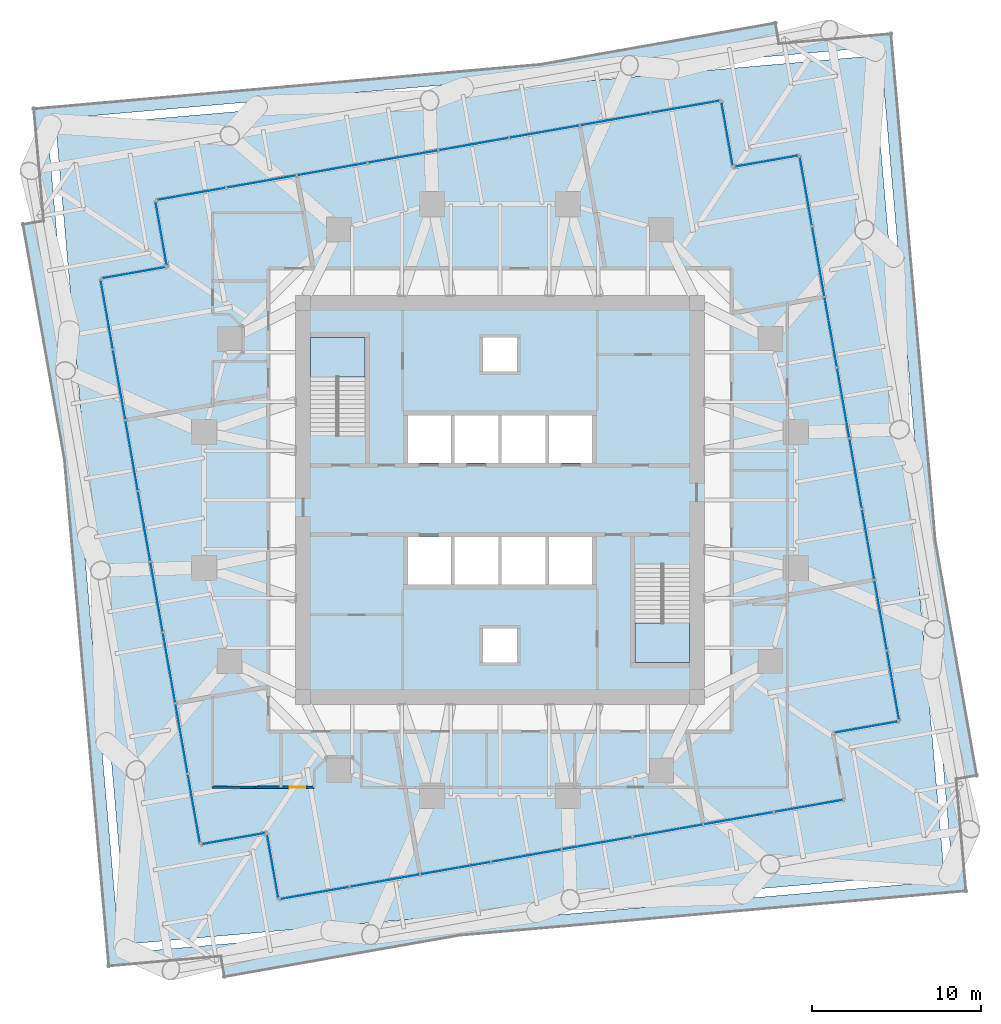
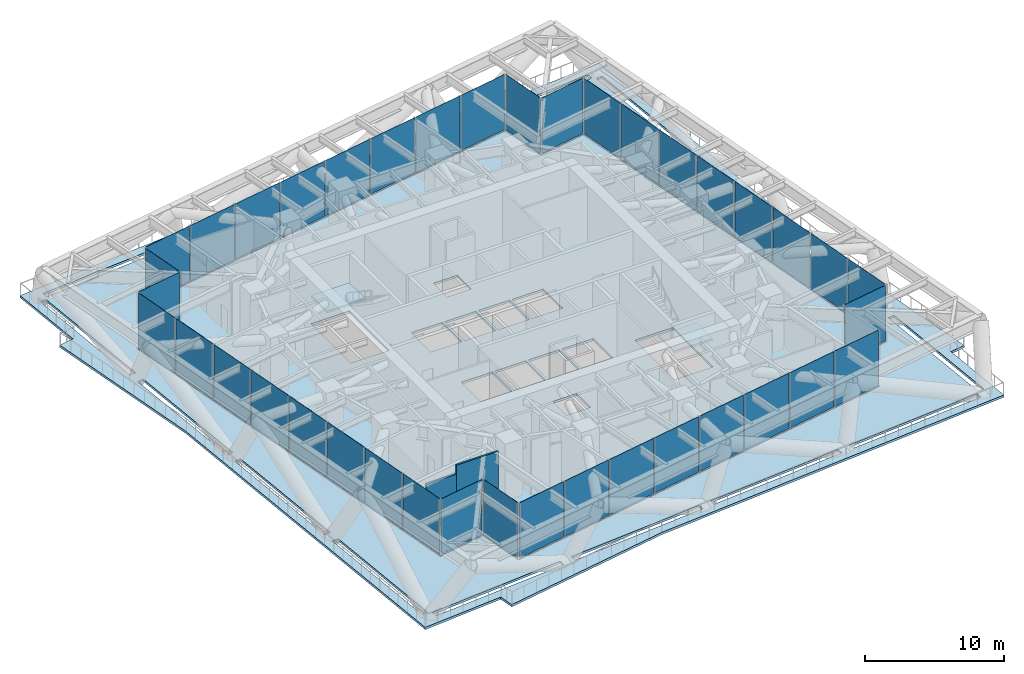
# One storey, part 8 of 15: 39 plates, 4 slabs, 2 walls, 1 door, 1 opening, 13 elements without a shape of their own.
"""IFC4 building model written with IfcOpenShell, lengths in metres."""

from ifc_helpers import new_model, si_unit, direction, frame, frame_2d, origin, origin_2d, place, context, subcontext, project, spatial, polyline, rectangle, outline, extrude, material, layer, layer_set, type_object, element, fill, aggregate, save


model = new_model("IFC4")

# Units and contexts
model_context = context("Model", 3, precision=1e-05, world=origin(), true_north=direction((0.0, 1.0)))
body_context = subcontext(model_context, "Body", "Model", "MODEL_VIEW")
ifc_project = project(units=[si_unit("LENGTHUNIT", "METRE"), si_unit("AREAUNIT", "SQUARE_METRE"), si_unit("VOLUMEUNIT", "CUBIC_METRE"), si_unit("PLANEANGLEUNIT", "RADIAN"), si_unit("MASSUNIT", "GRAM", prefix="KILO")], contexts=[model_context])

# Site, building, storey
site_placement = place(None, origin())
site = spatial("IfcSite", under=ifc_project, at=site_placement, CompositionType="ELEMENT")
building_placement = place(site_placement, origin())
building = spatial("IfcBuilding", under=site, at=building_placement, Name="Torsade Residences", CompositionType="ELEMENT")
storey_placement = place(building_placement, frame((0.0, 0.0, 74.39990234375)))
storey = spatial("IfcBuildingStorey", under=building, at=storey_placement, Name="L20", CompositionType="ELEMENT", Elevation=74.39990234375)

# Curtain wall, plates
ifc_material_1 = material(Name="Aluminium and glass", Category="aluminium")
curtain_wall_type = type_object("IfcCurtainWallType", Name="TRANSFER LEVEL CURTAIN WALL LOW ZONE", PredefinedType="NOTDEFINED", material=ifc_material_1)
curtain_wall_1_placement = place(storey_placement, origin())
curtain_wall_1 = element("IfcCurtainWall", 1, at=curtain_wall_1_placement, inside=storey, type_object=curtain_wall_type, Name="Curtain wall L20 face 1", PredefinedType="NOTDEFINED")
ifc_material_2 = material(Name="Laminated glass", Category="glass")
ifc_layer_1 = layer(ifc_material_2, 0.02392578125)
ifc_layer_set_1 = layer_set([ifc_layer_1], Name="Laminated glass")
plate_type = type_object("IfcPlateType", Name="CLEAR GLASS PANEL", PredefinedType="CURTAIN_PANEL", material=ifc_layer_set_1)
plate_1_placement = place(storey_placement, frame((29.022216796875, 6.740478515625, 0.1201171875), z_axis=(0.0, 0.0, 1.0), x_axis=(0.98480775357, 0.173648174504, 0.0)))
plate_1 = element("IfcPlate", 2, at=plate_1_placement, type_object=plate_type, Name="Panel 1", PredefinedType="CURTAIN_PANEL", context=body_context, shape_type="SweptSolid", body=[
    extrude(rectangle(XDim=4.10009765625, YDim=0.02392578125, at=origin_2d()), origin(), (0.0, 0.0, 1.0), 4.8798828125),
])
plate_2_placement = place(storey_placement, frame((33.18310546875, 7.47412109375, 0.1201171875), z_axis=(0.0, 0.0, 1.0), x_axis=(0.98480775357, 0.173648174504, 0.0)))
plate_2 = element("IfcPlate", 3, at=plate_2_placement, type_object=plate_type, Name="Panel 2", PredefinedType="CURTAIN_PANEL", context=body_context, shape_type="SweptSolid", body=[
    extrude(rectangle(XDim=4.14990234375, YDim=0.02392578125, at=origin_2d()), origin(), (0.0, 0.0, 1.0), 4.8798828125),
])
plate_3_placement = place(storey_placement, frame((37.368408203125, 8.2119140625, 0.1201171875), z_axis=(0.0, 0.0, 1.0), x_axis=(0.98480775357, 0.173648174504, 0.0)))
plate_3 = element("IfcPlate", 4, at=plate_3_placement, type_object=plate_type, Name="Panel 3", PredefinedType="CURTAIN_PANEL", context=body_context, shape_type="SweptSolid", body=[
    extrude(rectangle(XDim=4.14990234375, YDim=0.02392578125, at=origin_2d()), origin(), (0.0, 0.0, 1.0), 4.8798828125),
])
plate_4_placement = place(storey_placement, frame((41.553955078125, 8.949951171875, 0.1201171875), z_axis=(0.0, 0.0, 1.0), x_axis=(0.98480775357, 0.173648174504, 0.0)))
plate_4 = element("IfcPlate", 5, at=plate_4_placement, type_object=plate_type, Name="Panel 4", PredefinedType="CURTAIN_PANEL", context=body_context, shape_type="SweptSolid", body=[
    extrude(rectangle(XDim=4.14990234375, YDim=0.02392578125, at=origin_2d()), origin(), (0.0, 0.0, 1.0), 4.8798828125),
])
plate_5_placement = place(storey_placement, frame((45.7392578125, 9.68798828125, 0.1201171875), z_axis=(0.0, 0.0, 1.0), x_axis=(0.98480775357, 0.173648174504, 0.0)))
plate_5 = element("IfcPlate", 6, at=plate_5_placement, type_object=plate_type, Name="Panel 5", PredefinedType="CURTAIN_PANEL", context=body_context, shape_type="SweptSolid", body=[
    extrude(rectangle(XDim=4.14990234375, YDim=0.02392578125, at=origin_2d()), origin(), (0.0, 0.0, 1.0), 4.8798828125),
])
plate_6_placement = place(storey_placement, frame((49.9248046875, 10.426025390625, 0.1201171875), z_axis=(0.0, 0.0, 1.0), x_axis=(0.98480775357, 0.173648174504, 0.0)))
plate_6 = element("IfcPlate", 7, at=plate_6_placement, type_object=plate_type, Name="Panel 6", PredefinedType="CURTAIN_PANEL", context=body_context, shape_type="SweptSolid", body=[
    extrude(rectangle(XDim=4.14990234375, YDim=0.02392578125, at=origin_2d()), origin(), (0.0, 0.0, 1.0), 4.8798828125),
])
plate_7_placement = place(storey_placement, frame((54.110107421875, 11.1640625, 0.1201171875), z_axis=(0.0, 0.0, 1.0), x_axis=(0.98480775357, 0.173648174504, 0.0)))
plate_7 = element("IfcPlate", 8, at=plate_7_placement, type_object=plate_type, Name="Panel 7", PredefinedType="CURTAIN_PANEL", context=body_context, shape_type="SweptSolid", body=[
    extrude(rectangle(XDim=4.14990234375, YDim=0.02392578125, at=origin_2d()), origin(), (0.0, 0.0, 1.0), 4.8798828125),
])
plate_8_placement = place(storey_placement, frame((58.27099609375, 11.897705078125, 0.1201171875), z_axis=(0.0, 0.0, 1.0), x_axis=(0.98480775357, 0.173648174504, 0.0)))
plate_8 = element("IfcPlate", 9, at=plate_8_placement, type_object=plate_type, Name="Panel 8", PredefinedType="CURTAIN_PANEL", context=body_context, shape_type="SweptSolid", body=[
    extrude(rectangle(XDim=4.10009765625, YDim=0.02392578125, at=origin_2d()), origin(), (0.0, 0.0, 1.0), 4.8798828125),
])
aggregate(curtain_wall_1, [plate_1, plate_2, plate_3, plate_4, plate_5, plate_6, plate_7, plate_8])

# Curtain wall, plate
curtain_wall_2_placement = place(storey_placement, origin())
curtain_wall_2 = element("IfcCurtainWall", 10, at=curtain_wall_2_placement, inside=storey, type_object=curtain_wall_type, Name="Curtain wall L20 face 3", PredefinedType="NOTDEFINED")
plate_9_placement = place(storey_placement, frame((61.663330078125, 16.5576171875, 0.1201171875), z_axis=(0.0, 0.0, 1.0), x_axis=(0.984807740553, 0.173648248327, 0.0)))
plate_9 = element("IfcPlate", 11, at=plate_9_placement, type_object=plate_type, Name="Panel 1", PredefinedType="CURTAIN_PANEL", context=body_context, shape_type="SweptSolid", body=[
    extrude(rectangle(XDim=3.800048828125, YDim=0.02392578125, at=origin_2d()), origin(), (0.0, 0.0, 1.0), 4.8798828125),
])
aggregate(curtain_wall_2, [plate_9])

# Curtain wall, plates
curtain_wall_3_placement = place(storey_placement, origin())
curtain_wall_3 = element("IfcCurtainWall", 12, at=curtain_wall_3_placement, inside=storey, type_object=curtain_wall_type, Name="Curtain wall L20 face 4", PredefinedType="NOTDEFINED")
plate_10_placement = place(storey_placement, frame((63.259521484375, 19.022216796875, 0.1201171875), z_axis=(0.0, 0.0, 1.0), x_axis=(-0.173648174504, 0.98480775357, 0.0)))
plate_10 = element("IfcPlate", 13, at=plate_10_placement, type_object=plate_type, Name="Panel 1", PredefinedType="CURTAIN_PANEL", context=body_context, shape_type="SweptSolid", body=[
    extrude(rectangle(XDim=4.10009765625, YDim=0.02392578125, at=origin_2d()), origin(), (0.0, 0.0, 1.0), 4.8798828125),
])
plate_11_placement = place(storey_placement, frame((62.52587890625, 23.18310546875, 0.1201171875), z_axis=(0.0, 0.0, 1.0), x_axis=(-0.173648174504, 0.98480775357, 0.0)))
plate_11 = element("IfcPlate", 14, at=plate_11_placement, type_object=plate_type, Name="Panel 2", PredefinedType="CURTAIN_PANEL", context=body_context, shape_type="SweptSolid", body=[
    extrude(rectangle(XDim=4.14990234375, YDim=0.02392578125, at=origin_2d()), origin(), (0.0, 0.0, 1.0), 4.8798828125),
])
plate_12_placement = place(storey_placement, frame((61.7880859375, 27.368408203125, 0.1201171875), z_axis=(0.0, 0.0, 1.0), x_axis=(-0.173648174504, 0.98480775357, 0.0)))
plate_12 = element("IfcPlate", 15, at=plate_12_placement, type_object=plate_type, Name="Panel 3", PredefinedType="CURTAIN_PANEL", context=body_context, shape_type="SweptSolid", body=[
    extrude(rectangle(XDim=4.14990234375, YDim=0.02392578125, at=origin_2d()), origin(), (0.0, 0.0, 1.0), 4.8798828125),
])
plate_13_placement = place(storey_placement, frame((61.050048828125, 31.553955078125, 0.1201171875), z_axis=(0.0, 0.0, 1.0), x_axis=(-0.173648174504, 0.98480775357, 0.0)))
plate_13 = element("IfcPlate", 16, at=plate_13_placement, type_object=plate_type, Name="Panel 4", PredefinedType="CURTAIN_PANEL", context=body_context, shape_type="SweptSolid", body=[
    extrude(rectangle(XDim=4.14990234375, YDim=0.02392578125, at=origin_2d()), origin(), (0.0, 0.0, 1.0), 4.8798828125),
])
plate_14_placement = place(storey_placement, frame((60.31201171875, 35.7392578125, 0.1201171875), z_axis=(0.0, 0.0, 1.0), x_axis=(-0.173648174504, 0.98480775357, 0.0)))
plate_14 = element("IfcPlate", 17, at=plate_14_placement, type_object=plate_type, Name="Panel 5", PredefinedType="CURTAIN_PANEL", context=body_context, shape_type="SweptSolid", body=[
    extrude(rectangle(XDim=4.14990234375, YDim=0.02392578125, at=origin_2d()), origin(), (0.0, 0.0, 1.0), 4.8798828125),
])
plate_15_placement = place(storey_placement, frame((59.573974609375, 39.9248046875, 0.1201171875), z_axis=(0.0, 0.0, 1.0), x_axis=(-0.173648174504, 0.98480775357, 0.0)))
plate_15 = element("IfcPlate", 18, at=plate_15_placement, type_object=plate_type, Name="Panel 6", PredefinedType="CURTAIN_PANEL", context=body_context, shape_type="SweptSolid", body=[
    extrude(rectangle(XDim=4.14990234375, YDim=0.02392578125, at=origin_2d()), origin(), (0.0, 0.0, 1.0), 4.8798828125),
])
plate_16_placement = place(storey_placement, frame((58.8359375, 44.110107421875, 0.1201171875), z_axis=(0.0, 0.0, 1.0), x_axis=(-0.173648174504, 0.98480775357, 0.0)))
plate_16 = element("IfcPlate", 19, at=plate_16_placement, type_object=plate_type, Name="Panel 7", PredefinedType="CURTAIN_PANEL", context=body_context, shape_type="SweptSolid", body=[
    extrude(rectangle(XDim=4.14990234375, YDim=0.02392578125, at=origin_2d()), origin(), (0.0, 0.0, 1.0), 4.8798828125),
])
plate_17_placement = place(storey_placement, frame((58.102294921875, 48.27099609375, 0.1201171875), z_axis=(0.0, 0.0, 1.0), x_axis=(-0.173648174504, 0.98480775357, 0.0)))
plate_17 = element("IfcPlate", 20, at=plate_17_placement, type_object=plate_type, Name="Panel 8", PredefinedType="CURTAIN_PANEL", context=body_context, shape_type="SweptSolid", body=[
    extrude(rectangle(XDim=4.10009765625, YDim=0.02392578125, at=origin_2d()), origin(), (0.0, 0.0, 1.0), 4.8798828125),
])
aggregate(curtain_wall_3, [plate_10, plate_11, plate_12, plate_13, plate_14, plate_15, plate_16, plate_17])

# Curtain wall, plate
curtain_wall_4_placement = place(storey_placement, origin())
curtain_wall_4 = element("IfcCurtainWall", 21, at=curtain_wall_4_placement, inside=storey, type_object=curtain_wall_type, Name="Curtain wall L20 face 5", PredefinedType="NOTDEFINED")
plate_18_placement = place(storey_placement, frame((55.75927734375, 50.041015625, 0.1201171875), z_axis=(0.0, 0.0, 1.0), x_axis=(-0.984807740553, -0.173648248327, 0.0)))
plate_18 = element("IfcPlate", 22, at=plate_18_placement, type_object=plate_type, Name="Panel 1", PredefinedType="CURTAIN_PANEL", context=body_context, shape_type="SweptSolid", body=[
    extrude(rectangle(XDim=3.800048828125, YDim=0.02392578125, at=origin_2d()), origin(), (0.0, 0.0, 1.0), 4.8798828125),
])
aggregate(curtain_wall_4, [plate_18])

curtain_wall_5_placement = place(storey_placement, origin())
curtain_wall_5 = element("IfcCurtainWall", 23, at=curtain_wall_5_placement, inside=storey, type_object=curtain_wall_type, Name="Curtain wall L20 face 6", PredefinedType="NOTDEFINED")
plate_19_placement = place(storey_placement, frame((53.4423828125, 51.663330078125, 0.1201171875), z_axis=(0.0, 0.0, 1.0), x_axis=(-0.173648248327, 0.984807740553, 0.0)))
plate_19 = element("IfcPlate", 24, at=plate_19_placement, type_object=plate_type, Name="Panel 1", PredefinedType="CURTAIN_PANEL", context=body_context, shape_type="SweptSolid", body=[
    extrude(rectangle(XDim=3.800048828125, YDim=0.02392578125, at=origin_2d()), origin(), (0.0, 0.0, 1.0), 4.8798828125),
])
aggregate(curtain_wall_5, [plate_19])

# Curtain wall, plates
curtain_wall_6_placement = place(storey_placement, origin())
curtain_wall_6 = element("IfcCurtainWall", 25, at=curtain_wall_6_placement, inside=storey, type_object=curtain_wall_type, Name="Curtain wall L20 face 7", PredefinedType="NOTDEFINED")
plate_20_placement = place(storey_placement, frame((50.977783203125, 53.259521484375, 0.1201171875), z_axis=(0.0, 0.0, 1.0), x_axis=(-0.98480775357, -0.173648174504, 0.0)))
plate_20 = element("IfcPlate", 26, at=plate_20_placement, type_object=plate_type, Name="Panel 1", PredefinedType="CURTAIN_PANEL", context=body_context, shape_type="SweptSolid", body=[
    extrude(rectangle(XDim=4.10009765625, YDim=0.02392578125, at=origin_2d()), origin(), (0.0, 0.0, 1.0), 4.8798828125),
])
plate_21_placement = place(storey_placement, frame((46.81689453125, 52.52587890625, 0.1201171875), z_axis=(0.0, 0.0, 1.0), x_axis=(-0.98480775357, -0.173648174504, 0.0)))
plate_21 = element("IfcPlate", 27, at=plate_21_placement, type_object=plate_type, Name="Panel 2", PredefinedType="CURTAIN_PANEL", context=body_context, shape_type="SweptSolid", body=[
    extrude(rectangle(XDim=4.14990234375, YDim=0.02392578125, at=origin_2d()), origin(), (0.0, 0.0, 1.0), 4.8798828125),
])
plate_22_placement = place(storey_placement, frame((42.631591796875, 51.7880859375, 0.1201171875), z_axis=(0.0, 0.0, 1.0), x_axis=(-0.98480775357, -0.173648174504, 0.0)))
plate_22 = element("IfcPlate", 28, at=plate_22_placement, type_object=plate_type, Name="Panel 3", PredefinedType="CURTAIN_PANEL", context=body_context, shape_type="SweptSolid", body=[
    extrude(rectangle(XDim=4.14990234375, YDim=0.02392578125, at=origin_2d()), origin(), (0.0, 0.0, 1.0), 4.8798828125),
])
plate_23_placement = place(storey_placement, frame((38.446044921875, 51.050048828125, 0.1201171875), z_axis=(0.0, 0.0, 1.0), x_axis=(-0.98480775357, -0.173648174504, 0.0)))
plate_23 = element("IfcPlate", 29, at=plate_23_placement, type_object=plate_type, Name="Panel 4", PredefinedType="CURTAIN_PANEL", context=body_context, shape_type="SweptSolid", body=[
    extrude(rectangle(XDim=4.14990234375, YDim=0.02392578125, at=origin_2d()), origin(), (0.0, 0.0, 1.0), 4.8798828125),
])
plate_24_placement = place(storey_placement, frame((34.2607421875, 50.31201171875, 0.1201171875), z_axis=(0.0, 0.0, 1.0), x_axis=(-0.98480775357, -0.173648174504, 0.0)))
plate_24 = element("IfcPlate", 30, at=plate_24_placement, type_object=plate_type, Name="Panel 5", PredefinedType="CURTAIN_PANEL", context=body_context, shape_type="SweptSolid", body=[
    extrude(rectangle(XDim=4.14990234375, YDim=0.02392578125, at=origin_2d()), origin(), (0.0, 0.0, 1.0), 4.8798828125),
])
plate_25_placement = place(storey_placement, frame((30.0751953125, 49.573974609375, 0.1201171875), z_axis=(0.0, 0.0, 1.0), x_axis=(-0.98480775357, -0.173648174504, 0.0)))
plate_25 = element("IfcPlate", 31, at=plate_25_placement, type_object=plate_type, Name="Panel 6", PredefinedType="CURTAIN_PANEL", context=body_context, shape_type="SweptSolid", body=[
    extrude(rectangle(XDim=4.14990234375, YDim=0.02392578125, at=origin_2d()), origin(), (0.0, 0.0, 1.0), 4.8798828125),
])
plate_26_placement = place(storey_placement, frame((25.889892578125, 48.8359375, 0.1201171875), z_axis=(0.0, 0.0, 1.0), x_axis=(-0.98480775357, -0.173648174504, 0.0)))
plate_26 = element("IfcPlate", 32, at=plate_26_placement, type_object=plate_type, Name="Panel 7", PredefinedType="CURTAIN_PANEL", context=body_context, shape_type="SweptSolid", body=[
    extrude(rectangle(XDim=4.14990234375, YDim=0.02392578125, at=origin_2d()), origin(), (0.0, 0.0, 1.0), 4.8798828125),
])
plate_27_placement = place(storey_placement, frame((21.72900390625, 48.102294921875, 0.1201171875), z_axis=(0.0, 0.0, 1.0), x_axis=(-0.98480775357, -0.173648174504, 0.0)))
plate_27 = element("IfcPlate", 33, at=plate_27_placement, type_object=plate_type, Name="Panel 8", PredefinedType="CURTAIN_PANEL", context=body_context, shape_type="SweptSolid", body=[
    extrude(rectangle(XDim=4.10009765625, YDim=0.02392578125, at=origin_2d()), origin(), (0.0, 0.0, 1.0), 4.8798828125),
])
aggregate(curtain_wall_6, [plate_20, plate_21, plate_22, plate_23, plate_24, plate_25, plate_26, plate_27])

# Curtain wall, plate
curtain_wall_7_placement = place(storey_placement, origin())
curtain_wall_7 = element("IfcCurtainWall", 34, at=curtain_wall_7_placement, inside=storey, type_object=curtain_wall_type, Name="Curtain wall L20 face 8", PredefinedType="NOTDEFINED")
plate_28_placement = place(storey_placement, frame((19.958984375, 45.75927734375, 0.1201171875), z_axis=(0.0, 0.0, 1.0), x_axis=(0.173648248327, -0.984807740553, 0.0)))
plate_28 = element("IfcPlate", 35, at=plate_28_placement, type_object=plate_type, Name="Panel 1", PredefinedType="CURTAIN_PANEL", context=body_context, shape_type="SweptSolid", body=[
    extrude(rectangle(XDim=3.800048828125, YDim=0.02392578125, at=origin_2d()), origin(), (0.0, 0.0, 1.0), 4.8798828125),
])
aggregate(curtain_wall_7, [plate_28])

curtain_wall_8_placement = place(storey_placement, origin())
curtain_wall_8 = element("IfcCurtainWall", 36, at=curtain_wall_8_placement, inside=storey, type_object=curtain_wall_type, Name="Curtain wall L20 face 9", PredefinedType="NOTDEFINED")
plate_29_placement = place(storey_placement, frame((18.336669921875, 43.4423828125, 0.1201171875), z_axis=(0.0, 0.0, 1.0), x_axis=(-0.984807740553, -0.173648248327, 0.0)))
plate_29 = element("IfcPlate", 37, at=plate_29_placement, type_object=plate_type, Name="Panel 1", PredefinedType="CURTAIN_PANEL", context=body_context, shape_type="SweptSolid", body=[
    extrude(rectangle(XDim=3.800048828125, YDim=0.02392578125, at=origin_2d()), origin(), (0.0, 0.0, 1.0), 4.8798828125),
])
aggregate(curtain_wall_8, [plate_29])

# Curtain wall, plates
curtain_wall_9_placement = place(storey_placement, origin())
curtain_wall_9 = element("IfcCurtainWall", 38, at=curtain_wall_9_placement, inside=storey, type_object=curtain_wall_type, Name="Curtain wall L20 face 10", PredefinedType="NOTDEFINED")
plate_30_placement = place(storey_placement, frame((16.740478515625, 40.977783203125, 0.1201171875), z_axis=(0.0, 0.0, 1.0), x_axis=(0.173648174504, -0.98480775357, 0.0)))
plate_30 = element("IfcPlate", 39, at=plate_30_placement, type_object=plate_type, Name="Panel 1", PredefinedType="CURTAIN_PANEL", context=body_context, shape_type="SweptSolid", body=[
    extrude(rectangle(XDim=4.10009765625, YDim=0.02392578125, at=origin_2d()), origin(), (0.0, 0.0, 1.0), 4.8798828125),
])
plate_31_placement = place(storey_placement, frame((17.47412109375, 36.81689453125, 0.1201171875), z_axis=(0.0, 0.0, 1.0), x_axis=(0.173648174504, -0.98480775357, 0.0)))
plate_31 = element("IfcPlate", 40, at=plate_31_placement, type_object=plate_type, Name="Panel 2", PredefinedType="CURTAIN_PANEL", context=body_context, shape_type="SweptSolid", body=[
    extrude(rectangle(XDim=4.14990234375, YDim=0.02392578125, at=origin_2d()), origin(), (0.0, 0.0, 1.0), 4.8798828125),
])
plate_32_placement = place(storey_placement, frame((18.2119140625, 32.631591796875, 0.1201171875), z_axis=(0.0, 0.0, 1.0), x_axis=(0.173648174504, -0.98480775357, 0.0)))
plate_32 = element("IfcPlate", 41, at=plate_32_placement, type_object=plate_type, Name="Panel 3", PredefinedType="CURTAIN_PANEL", context=body_context, shape_type="SweptSolid", body=[
    extrude(rectangle(XDim=4.14990234375, YDim=0.02392578125, at=origin_2d()), origin(), (0.0, 0.0, 1.0), 4.8798828125),
])
plate_33_placement = place(storey_placement, frame((18.949951171875, 28.446044921875, 0.1201171875), z_axis=(0.0, 0.0, 1.0), x_axis=(0.173648174504, -0.98480775357, 0.0)))
plate_33 = element("IfcPlate", 42, at=plate_33_placement, type_object=plate_type, Name="Panel 4", PredefinedType="CURTAIN_PANEL", context=body_context, shape_type="SweptSolid", body=[
    extrude(rectangle(XDim=4.14990234375, YDim=0.02392578125, at=origin_2d()), origin(), (0.0, 0.0, 1.0), 4.8798828125),
])
plate_34_placement = place(storey_placement, frame((19.68798828125, 24.2607421875, 0.1201171875), z_axis=(0.0, 0.0, 1.0), x_axis=(0.173648174504, -0.98480775357, 0.0)))
plate_34 = element("IfcPlate", 43, at=plate_34_placement, type_object=plate_type, Name="Panel 5", PredefinedType="CURTAIN_PANEL", context=body_context, shape_type="SweptSolid", body=[
    extrude(rectangle(XDim=4.14990234375, YDim=0.02392578125, at=origin_2d()), origin(), (0.0, 0.0, 1.0), 4.8798828125),
])
plate_35_placement = place(storey_placement, frame((20.426025390625, 20.0751953125, 0.1201171875), z_axis=(0.0, 0.0, 1.0), x_axis=(0.173648174504, -0.98480775357, 0.0)))
plate_35 = element("IfcPlate", 44, at=plate_35_placement, type_object=plate_type, Name="Panel 6", PredefinedType="CURTAIN_PANEL", context=body_context, shape_type="SweptSolid", body=[
    extrude(rectangle(XDim=4.14990234375, YDim=0.02392578125, at=origin_2d()), origin(), (0.0, 0.0, 1.0), 4.8798828125),
])
plate_36_placement = place(storey_placement, frame((21.1640625, 15.889892578125, 0.1201171875), z_axis=(0.0, 0.0, 1.0), x_axis=(0.173648174504, -0.98480775357, 0.0)))
plate_36 = element("IfcPlate", 45, at=plate_36_placement, type_object=plate_type, Name="Panel 7", PredefinedType="CURTAIN_PANEL", context=body_context, shape_type="SweptSolid", body=[
    extrude(rectangle(XDim=4.14990234375, YDim=0.02392578125, at=origin_2d()), origin(), (0.0, 0.0, 1.0), 4.8798828125),
])
plate_37_placement = place(storey_placement, frame((21.897705078125, 11.72900390625, 0.1201171875), z_axis=(0.0, 0.0, 1.0), x_axis=(0.173648174504, -0.98480775357, 0.0)))
plate_37 = element("IfcPlate", 46, at=plate_37_placement, type_object=plate_type, Name="Panel 8", PredefinedType="CURTAIN_PANEL", context=body_context, shape_type="SweptSolid", body=[
    extrude(rectangle(XDim=4.10009765625, YDim=0.02392578125, at=origin_2d()), origin(), (0.0, 0.0, 1.0), 4.8798828125),
])
aggregate(curtain_wall_9, [plate_30, plate_31, plate_32, plate_33, plate_34, plate_35, plate_36, plate_37])

# Curtain wall, plate
curtain_wall_10_placement = place(storey_placement, origin())
curtain_wall_10 = element("IfcCurtainWall", 47, at=curtain_wall_10_placement, inside=storey, type_object=curtain_wall_type, Name="Curtain wall L20 face 11", PredefinedType="NOTDEFINED")
plate_38_placement = place(storey_placement, frame((24.24072265625, 9.958984375, 0.1201171875), z_axis=(0.0, 0.0, 1.0), x_axis=(0.984807740553, 0.173648248327, 0.0)))
plate_38 = element("IfcPlate", 48, at=plate_38_placement, type_object=plate_type, Name="Panel 1", PredefinedType="CURTAIN_PANEL", context=body_context, shape_type="SweptSolid", body=[
    extrude(rectangle(XDim=3.800048828125, YDim=0.02392578125, at=origin_2d()), origin(), (0.0, 0.0, 1.0), 4.8798828125),
])
aggregate(curtain_wall_10, [plate_38])

curtain_wall_11_placement = place(storey_placement, origin())
curtain_wall_11 = element("IfcCurtainWall", 49, at=curtain_wall_11_placement, inside=storey, type_object=curtain_wall_type, Name="Curtain wall L20 face 12", PredefinedType="NOTDEFINED")
plate_39_placement = place(storey_placement, frame((26.5576171875, 8.336669921875, 0.1201171875), z_axis=(0.0, 0.0, 1.0), x_axis=(0.173648248327, -0.984807740553, 0.0)))
plate_39 = element("IfcPlate", 50, at=plate_39_placement, type_object=plate_type, Name="Panel 1", PredefinedType="CURTAIN_PANEL", context=body_context, shape_type="SweptSolid", body=[
    extrude(rectangle(XDim=3.800048828125, YDim=0.02392578125, at=origin_2d()), origin(), (0.0, 0.0, 1.0), 4.8798828125),
])
aggregate(curtain_wall_11, [plate_39])

# Stair, slab
ifc_material_3 = material(Name="Precast concrete 40 MPa", Category="concrete")
stair_type = type_object("IfcStairType", Name="HALF-TURN FIRE STAIR 1500x5000", PredefinedType="HALF_TURN_STAIR", material=ifc_material_3)
stair_1_placement = place(storey_placement, origin())
stair_1 = element("IfcStair", 51, at=stair_1_placement, inside=storey, type_object=stair_type, Name="Stair ST1 L20", PredefinedType="HALF_TURN_STAIR")
ifc_material_4 = material(Name="Precast concrete 40 MPa", Category="concrete")
ifc_layer_2 = layer(ifc_material_4, 0.179931640625)
ifc_layer_set_2 = layer_set([ifc_layer_2], Name="Precast concrete 40 MPa")
slab_type_1 = type_object("IfcSlabType", Name="PRECAST STAIR LANDING 180", PredefinedType="LANDING", material=ifc_layer_set_2)
slab_1_placement = place(storey_placement, frame((0.0, 0.0, 2.320068359375)))
slab_1 = element("IfcSlab", 52, at=slab_1_placement, type_object=slab_type_1, Name="ST1 landing 1", PredefinedType="LANDING", context=body_context, shape_type="SweptSolid", body=[
    extrude(outline(polyline([(28.800048828125, 37.2900390625), (32.0, 37.2900390625), (32.0, 39.60009765625), (28.800048828125, 39.60009765625), (28.800048828125, 37.2900390625)])), origin(), (0.0, 0.0, 1.0), 0.179931640625),
])
aggregate(stair_1, [slab_1])

stair_2_placement = place(storey_placement, origin())
stair_2 = element("IfcStair", 53, at=stair_2_placement, inside=storey, type_object=stair_type, Name="Stair ST2 L20", PredefinedType="HALF_TURN_STAIR")
slab_2_placement = place(storey_placement, frame((0.0, 0.0, 2.320068359375)))
slab_2 = element("IfcSlab", 54, at=slab_2_placement, type_object=slab_type_1, Name="ST2 landing 1", PredefinedType="LANDING", context=body_context, shape_type="SweptSolid", body=[
    extrude(outline(polyline([(48.0, 20.39990234375), (51.199951171875, 20.39990234375), (51.199951171875, 22.7099609375), (48.0, 22.7099609375), (48.0, 20.39990234375)])), origin(), (0.0, 0.0, 1.0), 0.179931640625),
])
aggregate(stair_2, [slab_2])

# Slabs
ifc_material_5 = material(Name="Concrete 40 MPa", Category="concrete")
ifc_layer_3 = layer(ifc_material_5, 0.199951171875)
ifc_layer_set_3 = layer_set([ifc_layer_3], Name="Concrete 40 MPa")
slab_type_2 = type_object("IfcSlabType", Name="TRANSFER FLOOR SLAB 200", PredefinedType="FLOOR", material=ifc_layer_set_3)
slab_3_placement = place(storey_placement, frame((0.0, 0.0, -0.199951171875)))
element("IfcSlab", 55, at=slab_3_placement, inside=storey, type_object=slab_type_2, Name="Floor slab L20", PredefinedType="FLOOR", context=body_context, shape_type="SweptSolid", body=[
    extrude(outline(polyline([(26.90478515625, 6.366943359375), (60.388427734375, 12.27099609375), (59.69384765625, 16.210205078125), (63.633056640625, 16.90478515625), (57.72900390625, 50.388427734375), (53.789794921875, 49.69384765625), (53.09521484375, 53.633056640625), (19.611572265625, 47.72900390625), (20.30615234375, 43.789794921875), (16.366943359375, 43.09521484375), (22.27099609375, 9.611572265625), (26.210205078125, 10.30615234375), (26.90478515625, 6.366943359375)]), holes=[polyline([(51.199951171875, 20.39990234375), (51.199951171875, 26.1201171875), (48.0, 26.1201171875), (48.0, 20.39990234375), (51.199951171875, 20.39990234375)]), polyline([(45.5, 27.800048828125), (42.89990234375, 27.800048828125), (42.89990234375, 25.0), (45.5, 25.0), (45.5, 27.800048828125)]), polyline([(45.5, 32.199951171875), (45.5, 35.0), (42.89990234375, 35.0), (42.89990234375, 32.199951171875), (45.5, 32.199951171875)]), polyline([(42.699951171875, 25.0), (42.699951171875, 27.800048828125), (40.10009765625, 27.800048828125), (40.10009765625, 25.0), (42.699951171875, 25.0)]), polyline([(42.699951171875, 32.199951171875), (42.699951171875, 35.0), (40.10009765625, 35.0), (40.10009765625, 32.199951171875), (42.699951171875, 32.199951171875)]), polyline([(41.0, 22.39990234375), (39.0, 22.39990234375), (39.0, 20.39990234375), (41.0, 20.39990234375), (41.0, 22.39990234375)]), polyline([(41.0, 37.60009765625), (41.0, 39.60009765625), (39.0, 39.60009765625), (39.0, 37.60009765625), (41.0, 37.60009765625)]), polyline([(39.89990234375, 25.0), (39.89990234375, 27.800048828125), (37.300048828125, 27.800048828125), (37.300048828125, 25.0), (39.89990234375, 25.0)]), polyline([(39.89990234375, 35.0), (37.300048828125, 35.0), (37.300048828125, 32.199951171875), (39.89990234375, 32.199951171875), (39.89990234375, 35.0)]), polyline([(37.10009765625, 27.800048828125), (34.5, 27.800048828125), (34.5, 25.0), (37.10009765625, 25.0), (37.10009765625, 27.800048828125)]), polyline([(37.10009765625, 32.199951171875), (37.10009765625, 35.0), (34.5, 35.0), (34.5, 32.199951171875), (37.10009765625, 32.199951171875)]), polyline([(32.0, 33.8798828125), (32.0, 39.60009765625), (28.800048828125, 39.60009765625), (28.800048828125, 33.8798828125), (32.0, 33.8798828125)])]), origin(), (0.0, 0.0, 1.0), 0.199951171875),
])
ifc_material_6 = material(Name="Concrete 40 MPa", Category="concrete")
ifc_layer_4 = layer(ifc_material_6, 0.199951171875)
ifc_layer_set_4 = layer_set([ifc_layer_4], Name="Concrete 40 MPa")
slab_type_3 = type_object("IfcSlabType", Name="TRANSFER LEDGE SLAB 200", PredefinedType="ROOF", material=ifc_layer_set_4)
slab_4_placement = place(storey_placement, frame((0.0, 0.0, -0.199951171875)))
element("IfcSlab", 56, at=slab_4_placement, inside=storey, type_object=slab_type_3, Name="Transfer ledge slab L20 south-west", PredefinedType="ROOF", context=body_context, shape_type="SweptSolid", body=[
    extrude(outline(polyline([(14.194091796875, 32.383544921875), (16.819580078125, 2.37451171875), (23.44482421875, 2.9541015625), (23.66015625, 1.733154296875), (37.616455078125, 4.194091796875), (67.62548828125, 6.819580078125), (67.0458984375, 13.44482421875), (68.266845703125, 13.66015625), (65.805908203125, 27.616455078125), (63.180419921875, 57.62548828125), (56.55517578125, 57.0458984375), (56.33984375, 58.266845703125), (42.383544921875, 55.805908203125), (12.37451171875, 53.180419921875), (12.9541015625, 46.55517578125), (11.733154296875, 46.33984375), (14.194091796875, 32.383544921875)]), holes=[polyline([(66.24951171875, 8.204833984375), (66.74755859375, 8.24853515625), (65.76708984375, 19.45556640625), (65.26904296875, 19.412109375), (66.24951171875, 8.204833984375)]), polyline([(54.81494140625, 6.95361328125), (54.858642578125, 6.455322265625), (66.065673828125, 7.43603515625), (66.022216796875, 7.93408203125), (54.81494140625, 6.95361328125)]), polyline([(65.181884765625, 20.408203125), (65.679931640625, 20.451904296875), (64.699462890625, 31.658935546875), (64.201416015625, 31.615478515625), (65.181884765625, 20.408203125)]), polyline([(64.1142578125, 32.611572265625), (64.6123046875, 32.6552734375), (63.6318359375, 43.8623046875), (63.133544921875, 43.81884765625), (64.1142578125, 32.611572265625)]), polyline([(59.69384765625, 16.210205078125), (63.633056640625, 16.90478515625), (57.72900390625, 50.388427734375), (53.789794921875, 49.69384765625), (53.09521484375, 53.633056640625), (19.611572265625, 47.72900390625), (20.30615234375, 43.789794921875), (16.366943359375, 43.09521484375), (22.27099609375, 9.611572265625), (26.210205078125, 10.30615234375), (26.90478515625, 6.366943359375), (60.388427734375, 12.27099609375), (59.69384765625, 16.210205078125)]), polyline([(63.04638671875, 44.81494140625), (63.544677734375, 44.858642578125), (62.56396484375, 56.065673828125), (62.06591796875, 56.022216796875), (63.04638671875, 44.81494140625)]), polyline([(61.795166015625, 56.24951171875), (61.75146484375, 56.74755859375), (50.54443359375, 55.76708984375), (50.587890625, 55.26904296875), (61.795166015625, 56.24951171875)]), polyline([(42.611572265625, 5.8857421875), (42.6552734375, 5.3876953125), (53.8623046875, 6.3681640625), (53.81884765625, 6.866455078125), (42.611572265625, 5.8857421875)]), polyline([(49.591796875, 55.181884765625), (49.548095703125, 55.679931640625), (38.341064453125, 54.699462890625), (38.384521484375, 54.201416015625), (49.591796875, 55.181884765625)]), polyline([(30.408203125, 4.818115234375), (30.451904296875, 4.320068359375), (41.658935546875, 5.300537109375), (41.615478515625, 5.798583984375), (30.408203125, 4.818115234375)]), polyline([(37.388427734375, 54.1142578125), (37.3447265625, 54.6123046875), (26.1376953125, 53.6318359375), (26.18115234375, 53.133544921875), (37.388427734375, 54.1142578125)]), polyline([(18.204833984375, 3.75048828125), (18.24853515625, 3.25244140625), (29.45556640625, 4.23291015625), (29.412109375, 4.73095703125), (18.204833984375, 3.75048828125)]), polyline([(25.18505859375, 53.04638671875), (25.141357421875, 53.544677734375), (13.934326171875, 52.56396484375), (13.977783203125, 52.06591796875), (25.18505859375, 53.04638671875)]), polyline([(16.95361328125, 15.18505859375), (16.455322265625, 15.141357421875), (17.43603515625, 3.934326171875), (17.93408203125, 3.977783203125), (16.95361328125, 15.18505859375)]), polyline([(15.8857421875, 27.388427734375), (15.3876953125, 27.3447265625), (16.3681640625, 16.1376953125), (16.866455078125, 16.18115234375), (15.8857421875, 27.388427734375)]), polyline([(14.818115234375, 39.591796875), (14.320068359375, 39.548095703125), (15.300537109375, 28.341064453125), (15.798583984375, 28.384521484375), (14.818115234375, 39.591796875)]), polyline([(13.75048828125, 51.795166015625), (13.25244140625, 51.75146484375), (14.23291015625, 40.54443359375), (14.73095703125, 40.587890625), (13.75048828125, 51.795166015625)])]), origin(), (0.0, 0.0, 1.0), 0.199951171875),
])

# Wall, opening, door
ifc_material_7 = material(Name="Reinforced blockwork", Category="masonry")
ifc_layer_5 = layer(ifc_material_7, 0.14990234375)
ifc_layer_set_5 = layer_set([ifc_layer_5], Name="Reinforced blockwork")
wall_type = type_object("IfcWallType", Name="SERVICE ROOM WALL 150", PredefinedType="SOLIDWALL", material=ifc_layer_set_5)
wall_1_placement = place(storey_placement, frame((29.0, 13.0, 0.0), z_axis=(0.0, 0.0, 1.0), x_axis=(-1.0, 0.0, 0.0)))
wall_1 = element("IfcWall", 57, at=wall_1_placement, inside=storey, type_object=wall_type, Name="Service room wall L20", PredefinedType="SOLIDWALL", context=body_context, shape_type="SweptSolid", body=[
    extrude(rectangle(XDim=3.499755859375, YDim=0.14990234375, at=frame_2d((1.75, 0.0))), origin(), (0.0, 0.0, 1.0), 4.85009765625),
])
opening_placement = place(wall_1_placement, frame((0.5185546875, 0.0, 0.0)))
opening = element("IfcOpeningElement", 58, at=opening_placement, cuts=wall_1, Name="Opening D06", PredefinedType="OPENING", context=body_context, shape_type="SweptSolid", body=[
    extrude(rectangle(XDim=0.919921875, YDim=2.10009765625, at=frame_2d((0.4599609375, 1.050048828125))), frame((0.0, 0.0849609375, 0.0), z_axis=(0.0, -1.0, 0.0), x_axis=(1.0, 0.0, 0.0)), (0.0, 0.0, 1.0), 0.169921875),
])
ifc_material_8 = material(Name="Steel-framed fire door", Category="steel")
door_type = type_object("IfcDoorType", Name="FIRE DOOR 920", OperationType="NOTDEFINED", PredefinedType="DOOR", material=ifc_material_8)
door_placement = place(opening_placement, origin())
door = element("IfcDoor", 59, at=door_placement, inside=storey, type_object=door_type, Name="Door Service lobby to Mechanical plant room", OperationType="SINGLE_SWING_LEFT", OverallHeight=2.10009765625, OverallWidth=0.919921875, PredefinedType="DOOR", context=body_context, shape_type="SweptSolid", body=[
    extrude(rectangle(XDim=0.919921875, YDim=2.10009765625, at=frame_2d((0.4599609375, 1.050048828125))), frame((0.0, 0.02490234375, 0.0), z_axis=(0.0, -1.0, 0.0), x_axis=(1.0, 0.0, 0.0)), (0.0, 0.0, 1.0), 0.050048828125),
])
fill(opening, door)

# Wall
wall_2_placement = place(storey_placement, frame((25.500244140625, 13.0, 0.0), z_axis=(0.0, 0.0, 1.0), x_axis=(-1.0, 0.0, 0.0)))
element("IfcWall", 60, at=wall_2_placement, inside=storey, type_object=wall_type, Name="Service room wall L20", PredefinedType="SOLIDWALL", context=body_context, shape_type="SweptSolid", body=[
    extrude(rectangle(XDim=2.500244140625, YDim=0.14990234375, at=frame_2d((1.25, 0.0))), origin(), (0.0, 0.0, 1.0), 4.049072265625),
])

save(model, "model.ifc")
